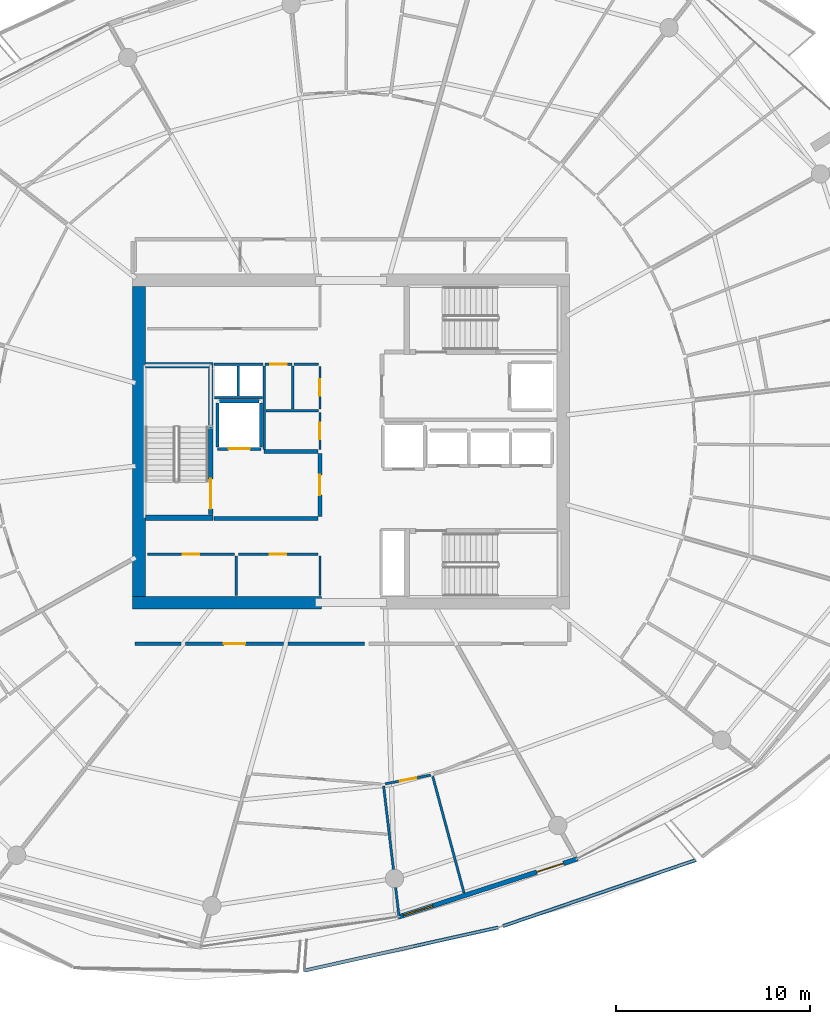
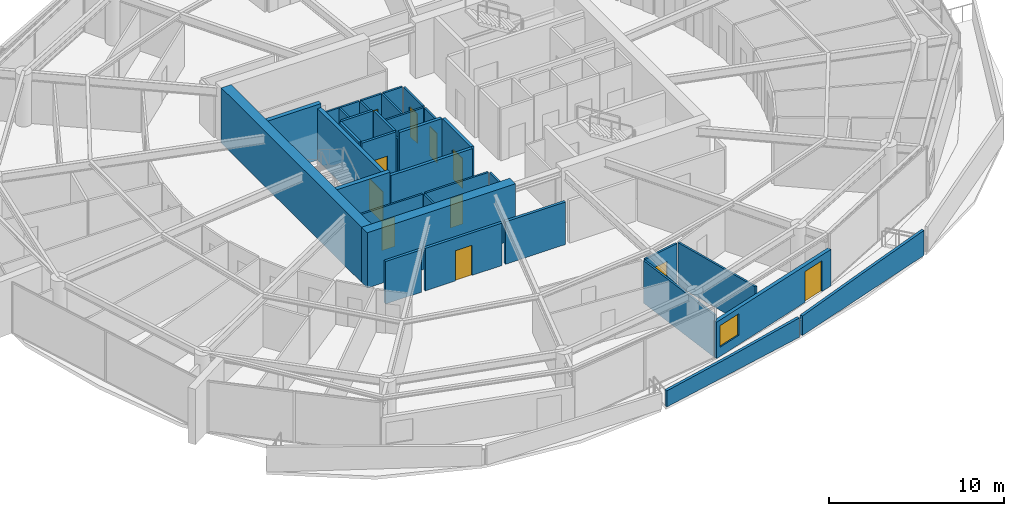
# One storey, part 18 of 29: 35 walls, 11 doors, 1 window, 12 openings.
"""IFC4 building model written with IfcOpenShell, lengths in metres."""

from ifc_helpers import new_model, si_unit, direction, frame, frame_2d, origin, place, context, subcontext, project, spatial, polyline, rectangle, outline, extrude, material, layer, layer_set, type_object, element, fill, save


model = new_model("IFC4")

# Units and contexts
model_context = context("Model", 3, precision=1e-05, world=origin(), true_north=direction((0.0, 1.0)))
body_context = subcontext(model_context, "Body", "Model", "MODEL_VIEW")
ifc_project = project(units=[si_unit("LENGTHUNIT", "METRE"), si_unit("AREAUNIT", "SQUARE_METRE"), si_unit("VOLUMEUNIT", "CUBIC_METRE"), si_unit("PLANEANGLEUNIT", "RADIAN"), si_unit("MASSUNIT", "GRAM", prefix="KILO")], contexts=[model_context])

# Site, building, storey
site_placement = place(None, origin())
site = spatial("IfcSite", under=ifc_project, at=site_placement, CompositionType="ELEMENT")
building_placement = place(site_placement, origin())
building = spatial("IfcBuilding", under=site, at=building_placement, Name="Kazma Halo Residences", CompositionType="ELEMENT")
storey_placement = place(building_placement, frame((0.0, 0.0, 252.10009765625)))
storey = spatial("IfcBuildingStorey", under=building, at=storey_placement, Name="L63", CompositionType="ELEMENT", Elevation=252.10009765625)

# Walls
ifc_material_1 = material(Name="White Concrete C50/60 Balustrade", Category="concrete")
ifc_layer_1 = layer(ifc_material_1, 0.179931640625)
ifc_layer_set_1 = layer_set([ifc_layer_1], Name="White Concrete C50/60 Balustrade")
wall_type_1 = type_object("IfcWallType", Name="WL-BAL-WAVE-180", PredefinedType="PARAPET", material=ifc_layer_set_1)
wall_1_placement = place(storey_placement, frame((46.01708984375, 14.672607421875, 0.0), z_axis=(0.0, 0.0, 1.0), x_axis=(0.976130464401, 0.217184982143, 0.0)))
element("IfcWall", 1, at=wall_1_placement, inside=storey, type_object=wall_type_1, Name="L63 white wave balustrade wall SSE.1", PredefinedType="PARAPET", context=body_context, shape_type="SweptSolid", body=[
    extrude(outline(polyline([(0.0, 0.0), (10.257568359375, 0.0), (10.25732421875, 1.347900390625), (5.128662109375, 1.181884765625), (0.0, 1.119873046875), (0.0, 0.0)])), frame((0.0, 0.08984375, 0.0), z_axis=(0.0, -1.0, 0.0), x_axis=(1.0, 0.0, 0.0)), (0.0, 0.0, 1.0), 0.179931640625),
])
wall_2_placement = place(storey_placement, frame((56.26025390625, 16.965576171875, 0.0), z_axis=(0.0, 0.0, 1.0), x_axis=(0.945994037051, 0.32418402469, 0.0)))
element("IfcWall", 2, at=wall_2_placement, inside=storey, type_object=wall_type_1, Name="L63 white wave balustrade wall SSE.2", PredefinedType="PARAPET", context=body_context, shape_type="SweptSolid", body=[
    extrude(outline(polyline([(0.0, 0.0), (10.5439453125, 0.0), (10.5439453125, 1.746826171875), (5.27197265625, 1.56201171875), (0.0, 1.347900390625), (0.0, 0.0)])), frame((0.0, 0.08984375, 0.0), z_axis=(0.0, -1.0, 0.0), x_axis=(1.0, 0.0, 0.0)), (0.0, 0.0, 1.0), 0.179931640625),
])
ifc_material_2 = material(Name="Concrete C60/75", Category="concrete")
ifc_layer_2 = layer(ifc_material_2, 0.64990234375)
ifc_layer_set_2 = layer_set([ifc_layer_2], Name="Concrete C60/75")
wall_type_2 = type_object("IfcWallType", Name="WL-CORE-650", PredefinedType="SHEAR", material=ifc_layer_set_2)
wall_3_placement = place(storey_placement, frame((37.14990234375, 33.675048828125, 0.0), z_axis=(0.0, 0.0, 1.0), x_axis=(1.0, 0.0, 0.0)))
element("IfcWall", 3, at=wall_3_placement, inside=storey, type_object=wall_type_2, Name="L63 central core shear wall SW", PredefinedType="SHEAR", context=body_context, shape_type="SweptSolid", body=[
    extrude(rectangle(XDim=9.75, YDim=0.64990234375, at=frame_2d((4.875, 0.0))), origin(), (0.0, 0.0, 1.0), 3.849853515625),
])
wall_4_placement = place(storey_placement, frame((37.47509765625, 34.0, 0.0), z_axis=(0.0, 0.0, 1.0), x_axis=(0.0, 1.0, 0.0)))
element("IfcWall", 4, at=wall_4_placement, inside=storey, type_object=wall_type_2, Name="L63 central core shear wall W", PredefinedType="SHEAR", context=body_context, shape_type="SweptSolid", body=[
    extrude(rectangle(XDim=16.0, YDim=0.64990234375, at=frame_2d((8.0, 0.0))), origin(), (0.0, 0.0, 1.0), 3.849853515625),
])
ifc_layer_3 = layer(ifc_material_2, 0.280029296875)
ifc_layer_set_3 = layer_set([ifc_layer_3], Name="Concrete C60/75")
wall_type_3 = type_object("IfcWallType", Name="WL-CORE-ST-280", PredefinedType="SHEAR", material=ifc_layer_set_3)
for number, where, z_axis, x_axis, name in (
    (5, (37.800048828125, 38.06005859375, 0.0), (0.0, 0.0, 1.0), (1.0, 0.0, 0.0), "L63 stairwell bearing wall ST01-S"),
    (6, (37.800048828125, 45.93994140625, 0.0), (0.0, 0.0, 1.0), (1.0, 0.0, 0.0), "L63 stairwell bearing wall ST01-N"),
):
    element("IfcWall", number, at=place(storey_placement, frame(where, z_axis=z_axis, x_axis=x_axis)), inside=storey, type_object=wall_type_3, Name=name, PredefinedType="SHEAR", context=body_context, shape_type="SweptSolid", body=[
        extrude(rectangle(XDim=3.5, YDim=0.280029296875, at=frame_2d((1.75, 0.0))), origin(), (0.0, 0.0, 1.0), 3.849853515625),
    ])

# Wall, opening, door
ifc_material_3 = material(Name="Acoustic Twin-Stud Gypsum")
ifc_layer_4 = layer(ifc_material_3, 0.179931640625)
ifc_layer_set_4 = layer_set([ifc_layer_4], Name="Acoustic Twin-Stud Gypsum")
wall_type_4 = type_object("IfcWallType", Name="WL-DEM-180", PredefinedType="PARTITIONING", material=ifc_layer_set_4)
wall_5_placement = place(storey_placement, frame((39.8818359375, 31.550048828125, 0.0), z_axis=(0.0, 0.0, 1.0), x_axis=(1.0, 0.0, 0.0)))
wall_5 = element("IfcWall", 7, at=wall_5_placement, inside=storey, type_object=wall_type_4, Name="L63 Apartment 2 entrance corridor wall", PredefinedType="PARTITIONING", context=body_context, shape_type="SweptSolid", body=[
    extrude(rectangle(XDim=5.051025390625, YDim=0.179931640625, at=frame_2d((2.525390625, 0.0))), origin(), (0.0, 0.0, 1.0), 2.956787109375),
])
opening_1_placement = place(wall_5_placement, frame((1.975341796875, 0.0, 0.0)))
opening_1 = element("IfcOpeningElement", 8, at=opening_1_placement, cuts=wall_5, Name="Opening DA-1100", PredefinedType="OPENING", context=body_context, shape_type="SweptSolid", body=[
    extrude(rectangle(XDim=1.10009765625, YDim=2.10009765625, at=frame_2d((0.550048828125, 1.050048828125))), frame((0.0, 0.099853515625, 0.0), z_axis=(0.0, -1.0, 0.0), x_axis=(1.0, 0.0, 0.0)), (0.0, 0.0, 1.0), 0.199951171875),
])
ifc_material_4 = material(Name="Acoustic Walnut Fire Leaf")
door_type_1 = type_object("IfcDoorType", Name="DR-FD60-1100", OperationType="NOTDEFINED", PredefinedType="DOOR", material=ifc_material_4)
door_1_placement = place(opening_1_placement, origin())
door_1 = element("IfcDoor", 9, at=door_1_placement, inside=storey, type_object=door_type_1, Name="L63 Apartment 2 entrance fire door", OperationType="SINGLE_SWING_RIGHT", OverallHeight=2.10009765625, OverallWidth=1.10009765625, PredefinedType="DOOR", context=body_context, shape_type="SweptSolid", body=[
    extrude(rectangle(XDim=1.10009765625, YDim=2.10009765625, at=frame_2d((0.550048828125, 1.050048828125))), frame((0.0, 0.02490234375, 0.0), z_axis=(0.0, -1.0, 0.0), x_axis=(1.0, 0.0, 0.0)), (0.0, 0.0, 1.0), 0.050048828125),
])
fill(opening_1, door_1)

# Walls
wall_6_placement = place(storey_placement, frame((37.27001953125, 31.550048828125, 0.0), z_axis=(0.0, 0.0, 1.0), x_axis=(1.0, 0.0, 0.0)))
element("IfcWall", 10, at=wall_6_placement, inside=storey, type_object=wall_type_4, Name="L63 Apartment 2 inner wall 8", PredefinedType="PARTITIONING", context=body_context, shape_type="SweptSolid", body=[
    extrude(rectangle(XDim=2.371826171875, YDim=0.179931640625, at=frame_2d((1.18603515625, 0.0))), origin(), (0.0, 0.0, 1.0), 2.956787109375),
])
wall_7_placement = place(storey_placement, frame((45.1728515625, 31.550048828125, 0.0), z_axis=(0.0, 0.0, 1.0), x_axis=(1.0, 0.0, 0.0)))
element("IfcWall", 11, at=wall_7_placement, inside=storey, type_object=wall_type_4, Name="L63 Apartment 2 inner wall 10", PredefinedType="PARTITIONING", context=body_context, shape_type="SweptSolid", body=[
    extrude(rectangle(XDim=3.94384765625, YDim=0.179931640625, at=frame_2d((1.971923828125, 0.0))), origin(), (0.0, 0.0, 1.0), 2.956787109375),
])

# Wall, openings, door, window
ifc_material_5 = material(Name="Insulated Pale-Metal Composite Wall")
ifc_layer_5 = layer(ifc_material_5, 0.239990234375)
ifc_layer_set_5 = layer_set([ifc_layer_5], Name="Insulated Pale-Metal Composite Wall")
wall_type_5 = type_object("IfcWallType", Name="WL-EXT-HOST-240", PredefinedType="SOLIDWALL", material=ifc_layer_set_5)
wall_8_placement = place(storey_placement, frame((50.85791015625, 17.436279296875, 0.0), z_axis=(0.0, 0.0, 1.0), x_axis=(0.951055974609, 0.309018661507, 0.0)))
wall_8 = element("IfcWall", 12, at=wall_8_placement, inside=storey, type_object=wall_type_5, Name="L63 exterior terrace-access wall B12", PredefinedType="SOLIDWALL", context=body_context, shape_type="SweptSolid", body=[
    extrude(rectangle(XDim=9.745361328125, YDim=0.239990234375, at=frame_2d((4.87255859375, 0.0))), origin(), (0.0, 0.0, 1.0), 2.539794921875),
])
opening_2_placement = place(wall_8_placement, frame((7.525390625, 0.0, 0.0)))
opening_2 = element("IfcOpeningElement", 13, at=opening_2_placement, cuts=wall_8, Name="Opening DTR-1600", PredefinedType="OPENING", context=body_context, shape_type="SweptSolid", body=[
    extrude(rectangle(XDim=1.449951171875, YDim=2.14990234375, at=frame_2d((0.72509765625, 1.074951171875))), frame((0.0, 0.1298828125, 0.0), z_axis=(0.0, -1.0, 0.0), x_axis=(1.0, 0.0, 0.0)), (0.0, 0.0, 1.0), 0.260009765625),
])
opening_3_placement = place(wall_8_placement, frame((0.280029296875, 0.0, 0.64990234375)))
opening_3 = element("IfcOpeningElement", 14, at=opening_3_placement, cuts=wall_8, Name="Opening W-1800", PredefinedType="OPENING", context=body_context, shape_type="SweptSolid", body=[
    extrude(rectangle(XDim=1.60009765625, YDim=1.5, at=frame_2d((0.800048828125, 0.75))), frame((0.0, 0.1298828125, 0.0), z_axis=(0.0, -1.0, 0.0), x_axis=(1.0, 0.0, 0.0)), (0.0, 0.0, 1.0), 0.260009765625),
])
ifc_material_6 = material(Name="Aluminium AW-6063 T6 Double-Glazed Terrace Door", Category="aluminium")
door_type_2 = type_object("IfcDoorType", Name="DR-EXT-TERR-1600", OperationType="NOTDEFINED", PredefinedType="DOOR", material=ifc_material_6)
door_2_placement = place(opening_2_placement, origin())
door_2 = element("IfcDoor", 15, at=door_2_placement, inside=storey, type_object=door_type_2, Name="L63 B12 balcony terrace door", OperationType="DOUBLE_DOOR_SLIDING", OverallHeight=2.14990234375, OverallWidth=1.449951171875, PredefinedType="DOOR", context=body_context, shape_type="SweptSolid", body=[
    extrude(rectangle(XDim=1.449951171875, YDim=2.14990234375, at=frame_2d((0.72509765625, 1.074951171875))), frame((0.0, 0.02490234375, 0.0), z_axis=(0.0, -1.0, 0.0), x_axis=(1.0, 0.0, 0.0)), (0.0, 0.0, 1.0), 0.050048828125),
])
fill(opening_2, door_2)
ifc_material_7 = material(Name="Clear Triple-Silver Low-E Glass in Aluminium AW-6063 T6 Frame", Category="aluminium")
window_type = type_object("IfcWindowType", Name="WIN-RES-1800", PartitioningType="DOUBLE_PANEL_VERTICAL", PredefinedType="WINDOW", material=ifc_material_7)
window_placement = place(opening_3_placement, origin())
window = element("IfcWindow", 16, at=window_placement, inside=storey, type_object=window_type, Name="L63 B12 apartment window", OverallHeight=1.5, OverallWidth=1.60009765625, PartitioningType="SINGLE_PANEL", PredefinedType="WINDOW", context=body_context, shape_type="SweptSolid", body=[
    extrude(rectangle(XDim=1.60009765625, YDim=1.5, at=frame_2d((0.800048828125, 0.75))), frame((0.0, 0.030029296875, 0.0), z_axis=(0.0, -1.0, 0.0), x_axis=(1.0, 0.0, 0.0)), (0.0, 0.0, 1.0), 0.06005859375),
])
fill(opening_3, window)

# Wall, opening, door
ifc_material_8 = material(Name="Fire-Rated Blockwork Masonry", Category="masonry")
ifc_layer_6 = layer(ifc_material_8, 0.199951171875)
ifc_layer_set_6 = layer_set([ifc_layer_6], Name="Fire-Rated Blockwork Masonry")
wall_type_6 = type_object("IfcWallType", Name="WL-FLB-200", PredefinedType="PARTITIONING", material=ifc_layer_set_6)
wall_9_placement = place(storey_placement, frame((43.780029296875, 41.6201171875, 0.0), z_axis=(0.0, 0.0, 1.0), x_axis=(-1.0, 0.0, 0.0)))
wall_9 = element("IfcWall", 17, at=wall_9_placement, inside=storey, type_object=wall_type_6, Name="L63 lift shaft FL-01 front wall", PredefinedType="PARTITIONING", context=body_context, shape_type="SweptSolid", body=[
    extrude(rectangle(XDim=2.260009765625, YDim=0.159912109375, at=frame_2d((1.1298828125, 0.0))), origin(), (0.0, 0.0, 1.0), 3.58984375),
])
opening_4_placement = place(wall_9_placement, frame((0.580078125, 0.0, 0.0)))
opening_4 = element("IfcOpeningElement", 18, at=opening_4_placement, cuts=wall_9, Name="Opening LD-FL-01", PredefinedType="OPENING", context=body_context, shape_type="SweptSolid", body=[
    extrude(rectangle(XDim=1.10009765625, YDim=2.10009765625, at=frame_2d((0.550048828125, 1.050048828125))), frame((0.0, 0.08984375, 0.0), z_axis=(0.0, -1.0, 0.0), x_axis=(1.0, 0.0, 0.0)), (0.0, 0.0, 1.0), 0.179931640625),
])
ifc_material_9 = material(Name="Stainless Steel Fire-Rated", Category="steel")
door_type_3 = type_object("IfcDoorType", Name="DR-LIFT-SLD-1100", OperationType="DOUBLE_DOOR_SLIDING", PredefinedType="DOOR", material=ifc_material_9)
door_3_placement = place(opening_4_placement, origin())
door_3 = element("IfcDoor", 19, at=door_3_placement, inside=storey, type_object=door_type_3, Name="L63 lift FL-01 sliding landing door", OperationType="DOUBLE_DOOR_SLIDING", OverallHeight=2.10009765625, OverallWidth=1.10009765625, PredefinedType="DOOR", context=body_context, shape_type="SweptSolid", body=[
    extrude(rectangle(XDim=1.10009765625, YDim=2.10009765625, at=frame_2d((0.550048828125, 1.050048828125))), frame((0.0, 0.02490234375, 0.0), z_axis=(0.0, -1.0, 0.0), x_axis=(1.0, 0.0, 0.0)), (0.0, 0.0, 1.0), 0.050048828125),
])
fill(opening_4, door_3)

# Walls
for number, where, z_axis, x_axis, name in (
    (20, (43.780029296875, 41.719970703125, 0.0), (0.0, 0.0, 1.0), (0.0, 1.0, 0.0), "L63 lift shaft FL-01 side wall E"),
    (21, (41.52001953125, 41.719970703125, 0.0), (0.0, 0.0, 1.0), (0.0, 1.0, 0.0), "L63 lift shaft FL-01 side wall W"),
):
    element("IfcWall", number, at=place(storey_placement, frame(where, z_axis=z_axis, x_axis=x_axis)), inside=storey, type_object=wall_type_6, Name=name, PredefinedType="PARTITIONING", context=body_context, shape_type="SweptSolid", body=[
        extrude(rectangle(XDim=2.260009765625, YDim=0.159912109375, at=frame_2d((1.1298828125, 0.0))), origin(), (0.0, 0.0, 1.0), 3.58984375),
    ])
wall_10_placement = place(storey_placement, frame((41.6201171875, 44.080078125, 0.0), z_axis=(0.0, 0.0, 1.0), x_axis=(1.0, 0.0, 0.0)))
element("IfcWall", 22, at=wall_10_placement, inside=storey, type_object=wall_type_6, Name="L63 lift shaft FL-01 side wall N", PredefinedType="PARTITIONING", context=body_context, shape_type="SweptSolid", body=[
    extrude(rectangle(XDim=2.059814453125, YDim=0.159912109375, at=frame_2d((1.02978515625, 0.0))), origin(), (0.0, 0.0, 1.0), 3.58984375),
])
wall_11_placement = place(storey_placement, frame((41.35009765625, 38.02001953125, 0.0), z_axis=(0.0, 0.0, 1.0), x_axis=(1.0, 0.0, 0.0)))
element("IfcWall", 23, at=wall_11_placement, inside=storey, type_object=wall_type_6, Name="L63 west firefighting lobby south smoke wall", PredefinedType="PARTITIONING", context=body_context, shape_type="SweptSolid", body=[
    extrude(rectangle(XDim=5.369873046875, YDim=0.199951171875, at=frame_2d((2.68505859375, 0.0))), origin(), (0.0, 0.0, 1.0), 3.58984375),
])
wall_12_placement = place(storey_placement, frame((43.919921875, 41.47998046875, 0.0), z_axis=(0.0, 0.0, 1.0), x_axis=(1.0, 0.0, 0.0)))
element("IfcWall", 24, at=wall_12_placement, inside=storey, type_object=wall_type_6, Name="L63 west firefighting lobby north smoke wall", PredefinedType="PARTITIONING", context=body_context, shape_type="SweptSolid", body=[
    extrude(rectangle(XDim=2.800048828125, YDim=0.199951171875, at=frame_2d((1.39990234375, 0.0))), origin(), (0.0, 0.0, 1.0), 3.58984375),
])

# Wall, opening, door
wall_13_placement = place(storey_placement, frame((46.820068359375, 38.1201171875, 0.0), z_axis=(0.0, 0.0, 1.0), x_axis=(0.0, 1.0, 0.0)))
wall_13 = element("IfcWall", 25, at=wall_13_placement, inside=storey, type_object=wall_type_6, Name="L63 west firefighting lobby smoke wall", PredefinedType="PARTITIONING", context=body_context, shape_type="SweptSolid", body=[
    extrude(rectangle(XDim=3.259765625, YDim=0.199951171875, at=frame_2d((1.6298828125, 0.0))), origin(), (0.0, 0.0, 1.0), 3.58984375),
])
opening_5_placement = place(wall_13_placement, frame((1.10498046875, 0.0, 0.0)))
opening_5 = element("IfcOpeningElement", 26, at=opening_5_placement, cuts=wall_13, Name="Opening D-FLW", PredefinedType="OPENING", context=body_context, shape_type="SweptSolid", body=[
    extrude(rectangle(XDim=1.050048828125, YDim=2.10009765625, at=frame_2d((0.52490234375, 1.050048828125))), frame((0.0, 0.10986328125, 0.0), z_axis=(0.0, -1.0, 0.0), x_axis=(1.0, 0.0, 0.0)), (0.0, 0.0, 1.0), 0.219970703125),
])
ifc_material_10 = material(Name="Fire-Rated Steel Leaf", Category="steel")
door_type_4 = type_object("IfcDoorType", Name="DR-FD90-1050", OperationType="NOTDEFINED", PredefinedType="DOOR", material=ifc_material_10)
door_4_placement = place(opening_5_placement, origin())
door_4 = element("IfcDoor", 27, at=door_4_placement, inside=storey, type_object=door_type_4, Name="L63 west firefighting lobby smoke door", OperationType="SINGLE_SWING_RIGHT", OverallHeight=2.10009765625, OverallWidth=1.050048828125, PredefinedType="DOOR", context=body_context, shape_type="SweptSolid", body=[
    extrude(rectangle(XDim=1.050048828125, YDim=2.10009765625, at=frame_2d((0.52490234375, 1.050048828125))), frame((0.0, 0.02490234375, 0.0), z_axis=(0.0, -1.0, 0.0), x_axis=(1.0, 0.0, 0.0)), (0.0, 0.0, 1.0), 0.050048828125),
])
fill(opening_5, door_4)

# Walls
ifc_material_11 = material(Name="Gypsum Plasterboard Partition")
ifc_layer_7 = layer(ifc_material_11, 0.125)
ifc_layer_set_7 = layer_set([ifc_layer_7], Name="Gypsum Plasterboard Partition")
wall_type_7 = type_object("IfcWallType", Name="WL-PART-125", PredefinedType="PARTITIONING", material=ifc_layer_set_7)
for number, where, z_axis, x_axis, name in (
    (28, (46.820068359375, 34.050048828125, 0.0), (0.0, 0.0, 1.0), (0.0, 1.0, 0.0), "L63 reclaimed south east wall"),
    (29, (42.5, 34.050048828125, 0.0), (0.0, 0.0, 1.0), (0.0, 1.0, 0.0), "L63 reclaimed south divider wall"),
):
    element("IfcWall", number, at=place(storey_placement, frame(where, z_axis=z_axis, x_axis=x_axis)), inside=storey, type_object=wall_type_7, Name=name, PredefinedType="PARTITIONING", context=body_context, shape_type="SweptSolid", body=[
        extrude(rectangle(XDim=2.030029296875, YDim=0.125, at=frame_2d((1.01513671875, 0.0))), origin(), (0.0, 0.0, 1.0), 3.02978515625),
    ])

# Wall, opening, door
wall_14_placement = place(storey_placement, frame((37.919921875, 36.179931640625, 0.0), z_axis=(0.0, 0.0, 1.0), x_axis=(1.0, 0.0, 0.0)))
wall_14 = element("IfcWall", 30, at=wall_14_placement, inside=storey, type_object=wall_type_7, Name="L63 reclaimed south W front wall", PredefinedType="PARTITIONING", context=body_context, shape_type="SweptSolid", body=[
    extrude(rectangle(XDim=4.47998046875, YDim=0.125, at=frame_2d((2.239990234375, 0.0))), origin(), (0.0, 0.0, 1.0), 3.02978515625),
])
opening_6_placement = place(wall_14_placement, frame((1.81494140625, 0.0, 0.0)))
opening_6 = element("IfcOpeningElement", 31, at=opening_6_placement, cuts=wall_14, Name="Opening DS-850", PredefinedType="OPENING", context=body_context, shape_type="SweptSolid", body=[
    extrude(rectangle(XDim=0.85009765625, YDim=2.06005859375, at=frame_2d((0.425048828125, 1.030029296875))), frame((0.0, 0.072509765625, 0.0), z_axis=(0.0, -1.0, 0.0), x_axis=(1.0, 0.0, 0.0)), (0.0, 0.0, 1.0), 0.14501953125),
])
ifc_material_12 = material(Name="Painted Steel Access Leaf", Category="steel")
door_type_5 = type_object("IfcDoorType", Name="DR-SVC-850", OperationType="NOTDEFINED", PredefinedType="DOOR", material=ifc_material_12)
door_5_placement = place(opening_6_placement, origin())
door_5 = element("IfcDoor", 32, at=door_5_placement, inside=storey, type_object=door_type_5, Name="L63 reclaimed south W door", OperationType="SINGLE_SWING_RIGHT", OverallHeight=2.06005859375, OverallWidth=0.85009765625, PredefinedType="DOOR", context=body_context, shape_type="SweptSolid", body=[
    extrude(rectangle(XDim=0.85009765625, YDim=2.06005859375, at=frame_2d((0.425048828125, 1.030029296875))), frame((0.0, 0.02490234375, 0.0), z_axis=(0.0, -1.0, 0.0), x_axis=(1.0, 0.0, 0.0)), (0.0, 0.0, 1.0), 0.050048828125),
])
fill(opening_6, door_5)

wall_15_placement = place(storey_placement, frame((42.60009765625, 36.179931640625, 0.0), z_axis=(0.0, 0.0, 1.0), x_axis=(1.0, 0.0, 0.0)))
wall_15 = element("IfcWall", 33, at=wall_15_placement, inside=storey, type_object=wall_type_7, Name="L63 reclaimed south E front wall", PredefinedType="PARTITIONING", context=body_context, shape_type="SweptSolid", body=[
    extrude(rectangle(XDim=4.119873046875, YDim=0.125, at=frame_2d((2.06005859375, 0.0))), origin(), (0.0, 0.0, 1.0), 3.02978515625),
])
opening_7_placement = place(wall_15_placement, frame((1.635009765625, 0.0, 0.0)))
opening_7 = element("IfcOpeningElement", 34, at=opening_7_placement, cuts=wall_15, Name="Opening DS-850", PredefinedType="OPENING", context=body_context, shape_type="SweptSolid", body=[
    extrude(rectangle(XDim=0.85009765625, YDim=2.06005859375, at=frame_2d((0.425048828125, 1.030029296875))), frame((0.0, 0.072509765625, 0.0), z_axis=(0.0, -1.0, 0.0), x_axis=(1.0, 0.0, 0.0)), (0.0, 0.0, 1.0), 0.14501953125),
])
door_6_placement = place(opening_7_placement, origin())
door_6 = element("IfcDoor", 35, at=door_6_placement, inside=storey, type_object=door_type_5, Name="L63 reclaimed south E door", OperationType="SINGLE_SWING_LEFT", OverallHeight=2.06005859375, OverallWidth=0.85009765625, PredefinedType="DOOR", context=body_context, shape_type="SweptSolid", body=[
    extrude(rectangle(XDim=0.85009765625, YDim=2.06005859375, at=frame_2d((0.425048828125, 1.030029296875))), frame((0.0, 0.02490234375, 0.0), z_axis=(0.0, -1.0, 0.0), x_axis=(1.0, 0.0, 0.0)), (0.0, 0.0, 1.0), 0.050048828125),
])
fill(opening_7, door_6)

# Walls
wall_16_placement = place(storey_placement, frame((41.360107421875, 44.260009765625, 0.0), z_axis=(0.0, 0.0, 1.0), x_axis=(1.0, 0.0, 0.0)))
element("IfcWall", 36, at=wall_16_placement, inside=storey, type_object=wall_type_7, Name="L63 core riser south wall", PredefinedType="PARTITIONING", context=body_context, shape_type="SweptSolid", body=[
    extrude(rectangle(XDim=2.5, YDim=0.125, at=frame_2d((1.25, 0.0))), origin(), (0.0, 0.0, 1.0), 3.02978515625),
])
wall_17_placement = place(storey_placement, frame((42.60009765625, 44.35009765625, 0.0), z_axis=(0.0, 0.0, 1.0), x_axis=(0.0, 1.0, 0.0)))
element("IfcWall", 37, at=wall_17_placement, inside=storey, type_object=wall_type_7, Name="L63 core riser divider wall", PredefinedType="PARTITIONING", context=body_context, shape_type="SweptSolid", body=[
    extrude(rectangle(XDim=1.5498046875, YDim=0.125, at=frame_2d((0.77490234375, 0.0))), origin(), (0.0, 0.0, 1.0), 3.02978515625),
])
wall_18_placement = place(storey_placement, frame((43.949951171875, 41.580078125, 0.0), z_axis=(0.0, 0.0, 1.0), x_axis=(0.0, 1.0, 0.0)))
element("IfcWall", 38, at=wall_18_placement, inside=storey, type_object=wall_type_7, Name="L63 core service west wall", PredefinedType="PARTITIONING", context=body_context, shape_type="SweptSolid", body=[
    extrude(rectangle(XDim=4.31982421875, YDim=0.125, at=frame_2d((2.159912109375, 0.0))), origin(), (0.0, 0.0, 1.0), 3.02978515625),
])
wall_19_placement = place(storey_placement, frame((44.030029296875, 43.590087890625, 0.0), z_axis=(0.0, 0.0, 1.0), x_axis=(1.0, 0.0, 0.0)))
element("IfcWall", 39, at=wall_19_placement, inside=storey, type_object=wall_type_7, Name="L63 core service horiz divider", PredefinedType="PARTITIONING", context=body_context, shape_type="SweptSolid", body=[
    extrude(rectangle(XDim=2.7099609375, YDim=0.125, at=frame_2d((1.35498046875, 0.0))), origin(), (0.0, 0.0, 1.0), 3.02978515625),
])
wall_20_placement = place(storey_placement, frame((45.409912109375, 43.669921875, 0.0), z_axis=(0.0, 0.0, 1.0), x_axis=(0.0, 1.0, 0.0)))
element("IfcWall", 40, at=wall_20_placement, inside=storey, type_object=wall_type_7, Name="L63 core service vert divider", PredefinedType="PARTITIONING", context=body_context, shape_type="SweptSolid", body=[
    extrude(rectangle(XDim=2.22998046875, YDim=0.125, at=frame_2d((1.114990234375, 0.0))), origin(), (0.0, 0.0, 1.0), 3.02978515625),
])

# Wall, opening, door
wall_21_placement = place(storey_placement, frame((46.820068359375, 41.580078125, 0.0), z_axis=(0.0, 0.0, 1.0), x_axis=(0.0, 1.0, 0.0)))
wall_21 = element("IfcWall", 41, at=wall_21_placement, inside=storey, type_object=wall_type_7, Name="L63 refuse room east wall", PredefinedType="PARTITIONING", context=body_context, shape_type="SweptSolid", body=[
    extrude(rectangle(XDim=1.909912109375, YDim=0.125, at=frame_2d((0.955078125, 0.0))), origin(), (0.0, 0.0, 1.0), 3.02978515625),
])
opening_8_placement = place(wall_21_placement, frame((0.530029296875, 0.0, 0.0)))
opening_8 = element("IfcOpeningElement", 42, at=opening_8_placement, cuts=wall_21, Name="Opening DS-850", PredefinedType="OPENING", context=body_context, shape_type="SweptSolid", body=[
    extrude(rectangle(XDim=0.85009765625, YDim=2.06005859375, at=frame_2d((0.425048828125, 1.030029296875))), frame((0.0, 0.072509765625, 0.0), z_axis=(0.0, -1.0, 0.0), x_axis=(1.0, 0.0, 0.0)), (0.0, 0.0, 1.0), 0.14501953125),
])
door_7_placement = place(opening_8_placement, origin())
door_7 = element("IfcDoor", 43, at=door_7_placement, inside=storey, type_object=door_type_5, Name="L63 refuse room door", OperationType="SINGLE_SWING_RIGHT", OverallHeight=2.06005859375, OverallWidth=0.85009765625, PredefinedType="DOOR", context=body_context, shape_type="SweptSolid", body=[
    extrude(rectangle(XDim=0.85009765625, YDim=2.06005859375, at=frame_2d((0.425048828125, 1.030029296875))), frame((0.0, 0.02490234375, 0.0), z_axis=(0.0, -1.0, 0.0), x_axis=(1.0, 0.0, 0.0)), (0.0, 0.0, 1.0), 0.050048828125),
])
fill(opening_8, door_7)

wall_22_placement = place(storey_placement, frame((46.820068359375, 43.68994140625, 0.0), z_axis=(0.0, 0.0, 1.0), x_axis=(0.0, 1.0, 0.0)))
wall_22 = element("IfcWall", 44, at=wall_22_placement, inside=storey, type_object=wall_type_7, Name="L63 sub-metering east wall", PredefinedType="PARTITIONING", context=body_context, shape_type="SweptSolid", body=[
    extrude(rectangle(XDim=2.18994140625, YDim=0.125, at=frame_2d((1.094970703125, 0.0))), origin(), (0.0, 0.0, 1.0), 3.02978515625),
])
opening_9_placement = place(wall_22_placement, frame((0.669921875, 0.0, 0.0)))
opening_9 = element("IfcOpeningElement", 45, at=opening_9_placement, cuts=wall_22, Name="Opening DS-850", PredefinedType="OPENING", context=body_context, shape_type="SweptSolid", body=[
    extrude(rectangle(XDim=0.85009765625, YDim=2.06005859375, at=frame_2d((0.425048828125, 1.030029296875))), frame((0.0, 0.072509765625, 0.0), z_axis=(0.0, -1.0, 0.0), x_axis=(1.0, 0.0, 0.0)), (0.0, 0.0, 1.0), 0.14501953125),
])
door_8_placement = place(opening_9_placement, origin())
door_8 = element("IfcDoor", 46, at=door_8_placement, inside=storey, type_object=door_type_5, Name="L63 sub-metering door", OperationType="SINGLE_SWING_LEFT", OverallHeight=2.06005859375, OverallWidth=0.85009765625, PredefinedType="DOOR", context=body_context, shape_type="SweptSolid", body=[
    extrude(rectangle(XDim=0.85009765625, YDim=2.06005859375, at=frame_2d((0.425048828125, 1.030029296875))), frame((0.0, 0.02490234375, 0.0), z_axis=(0.0, -1.0, 0.0), x_axis=(1.0, 0.0, 0.0)), (0.0, 0.0, 1.0), 0.050048828125),
])
fill(opening_9, door_8)

# Wall
wall_23_placement = place(storey_placement, frame((41.35009765625, 45.97998046875, 0.0), z_axis=(0.0, 0.0, 1.0), x_axis=(1.0, 0.0, 0.0)))
element("IfcWall", 47, at=wall_23_placement, inside=storey, type_object=wall_type_7, Name="L63 core riser NW wall", PredefinedType="PARTITIONING", context=body_context, shape_type="SweptSolid", body=[
    extrude(rectangle(XDim=2.52978515625, YDim=0.125, at=frame_2d((1.264892578125, 0.0))), origin(), (0.0, 0.0, 1.0), 3.02978515625),
])

# Wall, opening, door
wall_24_placement = place(storey_placement, frame((43.989990234375, 45.97998046875, 0.0), z_axis=(0.0, 0.0, 1.0), x_axis=(1.0, 0.0, 0.0)))
wall_24 = element("IfcWall", 48, at=wall_24_placement, inside=storey, type_object=wall_type_7, Name="L63 cleaners cupboard north wall", PredefinedType="PARTITIONING", context=body_context, shape_type="SweptSolid", body=[
    extrude(rectangle(XDim=1.380126953125, YDim=0.125, at=frame_2d((0.68994140625, 0.0))), origin(), (0.0, 0.0, 1.0), 3.02978515625),
])
opening_10_placement = place(wall_24_placement, frame((0.264892578125, 0.0, 0.0)))
opening_10 = element("IfcOpeningElement", 49, at=opening_10_placement, cuts=wall_24, Name="Opening DS-850", PredefinedType="OPENING", context=body_context, shape_type="SweptSolid", body=[
    extrude(rectangle(XDim=0.85009765625, YDim=2.06005859375, at=frame_2d((0.425048828125, 1.030029296875))), frame((0.0, 0.072509765625, 0.0), z_axis=(0.0, -1.0, 0.0), x_axis=(1.0, 0.0, 0.0)), (0.0, 0.0, 1.0), 0.14501953125),
])
door_9_placement = place(opening_10_placement, origin())
door_9 = element("IfcDoor", 50, at=door_9_placement, inside=storey, type_object=door_type_5, Name="L63 cleaners cupboard door", OperationType="SINGLE_SWING_RIGHT", OverallHeight=2.06005859375, OverallWidth=0.85009765625, PredefinedType="DOOR", context=body_context, shape_type="SweptSolid", body=[
    extrude(rectangle(XDim=0.85009765625, YDim=2.06005859375, at=frame_2d((0.425048828125, 1.030029296875))), frame((0.0, 0.02490234375, 0.0), z_axis=(0.0, -1.0, 0.0), x_axis=(1.0, 0.0, 0.0)), (0.0, 0.0, 1.0), 0.050048828125),
])
fill(opening_10, door_9)

# Walls
wall_25_placement = place(storey_placement, frame((45.47998046875, 45.97998046875, 0.0), z_axis=(0.0, 0.0, 1.0), x_axis=(1.0, 0.0, 0.0)))
element("IfcWall", 51, at=wall_25_placement, inside=storey, type_object=wall_type_7, Name="L63 sub-metering north wall", PredefinedType="PARTITIONING", context=body_context, shape_type="SweptSolid", body=[
    extrude(rectangle(XDim=1.260009765625, YDim=0.125, at=frame_2d((0.6298828125, 0.0))), origin(), (0.0, 0.0, 1.0), 3.02978515625),
])
wall_26_placement = place(storey_placement, frame((50.106689453125, 24.2001953125, 0.0), z_axis=(0.0, 0.0, 1.0), x_axis=(0.117552553428, -0.99306666301, 0.0)))
element("IfcWall", 52, at=wall_26_placement, inside=storey, type_object=wall_type_7, Name="L63 Apartment 2 radial partition 11", PredefinedType="PARTITIONING", context=body_context, shape_type="SweptSolid", body=[
    extrude(rectangle(XDim=6.7705078125, YDim=0.125, at=frame_2d((3.38525390625, 0.0))), origin(), (0.0, 0.0, 1.0), 2.956787109375),
])
wall_27_placement = place(storey_placement, frame((52.6455078125, 24.698974609375, 0.0), z_axis=(0.0, 0.0, 1.0), x_axis=(0.259313772229, -0.965793128746, 0.0)))
element("IfcWall", 53, at=wall_27_placement, inside=storey, type_object=wall_type_7, Name="L63 Apartment 2 mid-bay wall 11", PredefinedType="PARTITIONING", context=body_context, shape_type="SweptSolid", body=[
    extrude(rectangle(XDim=6.23828125, YDim=0.125, at=frame_2d((3.119140625, 0.0))), origin(), (0.0, 0.0, 1.0), 3.02978515625),
])

# Wall, opening, door
wall_28_placement = place(storey_placement, frame((50.193115234375, 24.318359375, 0.0), z_axis=(0.0, 0.0, 1.0), x_axis=(0.981978792413, 0.188991140667, 0.0)))
wall_28 = element("IfcWall", 54, at=wall_28_placement, inside=storey, type_object=wall_type_7, Name="L63 Apartment 2 North Wine Pantry Store hall wall", PredefinedType="PARTITIONING", context=body_context, shape_type="SweptSolid", body=[
    extrude(rectangle(XDim=2.393798828125, YDim=0.125, at=frame_2d((1.19677734375, 0.0))), origin(), (0.0, 0.0, 1.0), 2.956787109375),
])
opening_11_placement = place(wall_28_placement, frame((0.771728515625, 0.0, 0.0)))
opening_11 = element("IfcOpeningElement", 55, at=opening_11_placement, cuts=wall_28, Name="Opening DB-900", PredefinedType="OPENING", context=body_context, shape_type="SweptSolid", body=[
    extrude(rectangle(XDim=0.85009765625, YDim=2.06005859375, at=frame_2d((0.425048828125, 1.030029296875))), frame((0.0, 0.072509765625, 0.0), z_axis=(0.0, -1.0, 0.0), x_axis=(1.0, 0.0, 0.0)), (0.0, 0.0, 1.0), 0.14501953125),
])
ifc_material_13 = material(Name="Moisture-Sealed Timber Leaf", Category="wood")
door_type_6 = type_object("IfcDoorType", Name="DR-BTH-900", OperationType="NOTDEFINED", PredefinedType="DOOR", material=ifc_material_13)
door_10_placement = place(opening_11_placement, origin())
door_10 = element("IfcDoor", 56, at=door_10_placement, inside=storey, type_object=door_type_6, Name="L63 Apartment 2 North Wine Pantry Store door", OperationType="SINGLE_SWING_LEFT", OverallHeight=2.06005859375, OverallWidth=0.85009765625, PredefinedType="DOOR", context=body_context, shape_type="SweptSolid", body=[
    extrude(rectangle(XDim=0.85009765625, YDim=2.06005859375, at=frame_2d((0.425048828125, 1.030029296875))), frame((0.0, 0.02490234375, 0.0), z_axis=(0.0, -1.0, 0.0), x_axis=(1.0, 0.0, 0.0)), (0.0, 0.0, 1.0), 0.050048828125),
])
fill(opening_11, door_10)

ifc_material_14 = material(Name="Concrete C50/60", Category="concrete")
ifc_layer_8 = layer(ifc_material_14, 0.25)
ifc_layer_set_8 = layer_set([ifc_layer_8], Name="Concrete C50/60")
wall_type_8 = type_object("IfcWallType", Name="WL-SHF-250", PredefinedType="SOLIDWALL", material=ifc_layer_set_8)
wall_29_placement = place(storey_placement, frame((41.179931640625, 38.219970703125, 0.0), z_axis=(0.0, 0.0, 1.0), x_axis=(0.0, 1.0, 0.0)))
wall_29 = element("IfcWall", 57, at=wall_29_placement, inside=storey, type_object=wall_type_8, Name="L63 exit stair ST-01 enclosure wall", PredefinedType="SOLIDWALL", context=body_context, shape_type="SweptSolid", body=[
    extrude(rectangle(XDim=7.56005859375, YDim=0.25, at=frame_2d((3.780029296875, 0.0))), origin(), (0.0, 0.0, 1.0), 3.58984375),
])
opening_12_placement = place(wall_29_placement, frame((0.300048828125, 0.0, 0.0)))
opening_12 = element("IfcOpeningElement", 58, at=opening_12_placement, cuts=wall_29, Name="Opening D-ST1", PredefinedType="OPENING", context=body_context, shape_type="SweptSolid", body=[
    extrude(rectangle(XDim=1.550048828125, YDim=2.14990234375, at=frame_2d((0.77490234375, 1.074951171875))), frame((0.0, 0.135009765625, 0.0), z_axis=(0.0, -1.0, 0.0), x_axis=(1.0, 0.0, 0.0)), (0.0, 0.0, 1.0), 0.27001953125),
])
ifc_material_15 = material(Name="Fire-Rated Double Steel Leaf", Category="steel")
door_type_7 = type_object("IfcDoorType", Name="DR-FD90-1550", OperationType="NOTDEFINED", PredefinedType="DOOR", material=ifc_material_15)
door_11_placement = place(opening_12_placement, origin())
door_11 = element("IfcDoor", 59, at=door_11_placement, inside=storey, type_object=door_type_7, Name="L63 exit stair ST-01 fire door", OperationType="DOUBLE_DOOR_SINGLE_SWING", OverallHeight=2.14990234375, OverallWidth=1.550048828125, PredefinedType="DOOR", context=body_context, shape_type="SweptSolid", body=[
    extrude(rectangle(XDim=1.550048828125, YDim=2.14990234375, at=frame_2d((0.77490234375, 1.074951171875))), frame((0.0, 0.02490234375, 0.0), z_axis=(0.0, -1.0, 0.0), x_axis=(1.0, 0.0, 0.0)), (0.0, 0.0, 1.0), 0.050048828125),
])
fill(opening_12, door_11)

save(model, "model.ifc")
